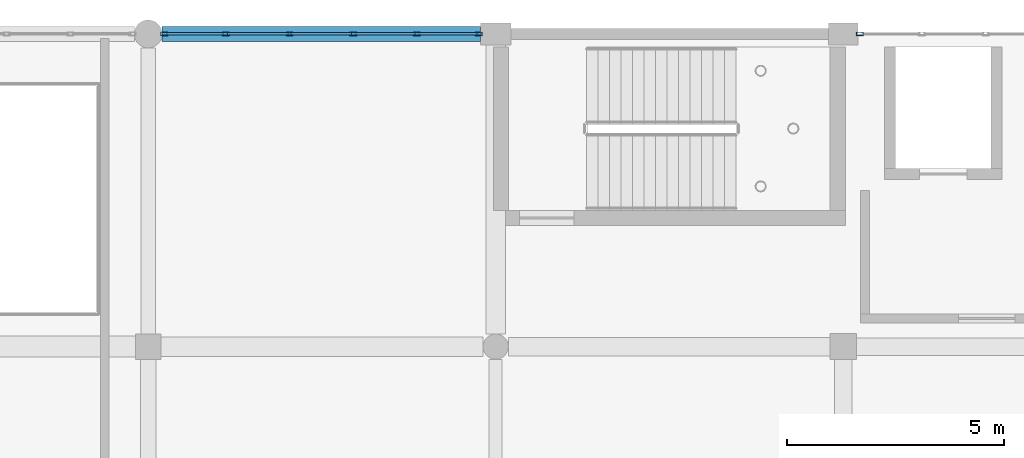
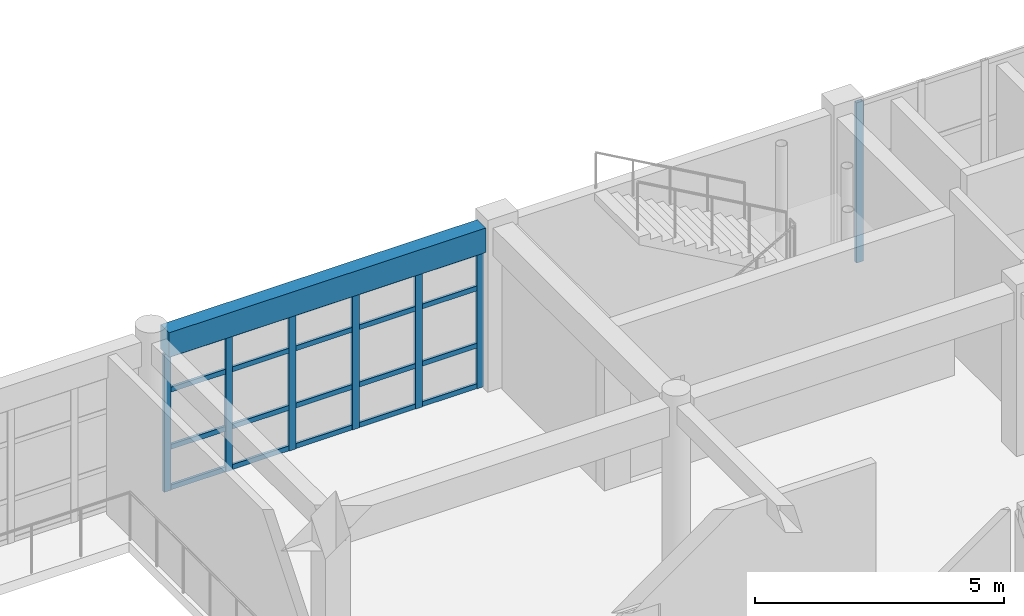
# One storey, part 14 of 53: 27 members, 1 beam, 2 elements without a shape of their own.
"""IFC4 building model written with IfcOpenShell, lengths in metres."""

from ifc_helpers import new_model, si_unit, direction, frame, origin, origin_2d, place, context, subcontext, project, spatial, rectangle, hollow_rectangle, extrude, material, material_profile, profile_set, type_object, element, aggregate, save


model = new_model("IFC4")

# Units and contexts
model_context = context("Model", 3, precision=1e-05, world=origin(), true_north=direction((0.0, 1.0)))
body_context = subcontext(model_context, "Body", "Model", "MODEL_VIEW")
ifc_project = project(units=[si_unit("LENGTHUNIT", "METRE"), si_unit("AREAUNIT", "SQUARE_METRE"), si_unit("VOLUMEUNIT", "CUBIC_METRE"), si_unit("PLANEANGLEUNIT", "RADIAN"), si_unit("MASSUNIT", "GRAM", prefix="KILO")], contexts=[model_context])

# Site, building, storey
site_placement = place(None, origin())
site = spatial("IfcSite", under=ifc_project, at=site_placement, CompositionType="ELEMENT")
building_placement = place(site_placement, origin())
building = spatial("IfcBuilding", under=site, at=building_placement, Name="Kharva Crest Polytechnic", CompositionType="ELEMENT")
storey_placement = place(building_placement, frame((0.0, 0.0, 17.39990234375)))
storey = spatial("IfcBuildingStorey", under=building, at=storey_placement, Name="L04", CompositionType="ELEMENT", Elevation=17.39990234375)

# Curtain wall, member
ifc_material_1 = material(Name="Tempered insulated glass", Category="glass")
curtain_wall_type = type_object("IfcCurtainWallType", Name="CW-SYS-STUDIO", PredefinedType="USERDEFINED", material=ifc_material_1)
curtain_wall_1_placement = place(storey_placement, origin())
curtain_wall_1 = element("IfcCurtainWall", 1, at=curtain_wall_1_placement, inside=storey, type_object=curtain_wall_type, Name="L04 Glazed Curtain Wall CW-177", ObjectType="CURTAIN WALL", PredefinedType="USERDEFINED")
ifc_material_2 = material(Name="Steel S355", Category="steel")
ifc_material_profile_1 = material_profile(ifc_material_2, hollow_rectangle(XDim=0.080078125, YDim=0.159912109375, WallThickness=0.0048828125, at=origin_2d()), Name="RHS 160X80X5.0")
ifc_profile_set_1 = profile_set([ifc_material_profile_1], Name="Steel S355")
member_type_1 = type_object("IfcMemberType", Name="CWM-RHS160X80", PredefinedType="MULLION", material=ifc_profile_set_1)
member_1_placement = place(storey_placement, frame((112.385009765625, 122.0, 0.0), z_axis=(0.0, 0.0, 1.0), x_axis=(0.0, -1.0, 0.0)))
member_1 = element("IfcMember", 2, at=member_1_placement, type_object=member_type_1, Name="CW-177 mullion 6", PredefinedType="MULLION", context=body_context, shape_type="SweptSolid", body=[
    extrude(hollow_rectangle(XDim=0.080078125, YDim=0.159912109375, WallThickness=0.0048828125, at=origin_2d()), origin(), (0.0, 0.0, 1.0), 3.920166015625),
])
aggregate(curtain_wall_1, [member_1])

# Curtain wall, members
curtain_wall_2_placement = place(storey_placement, origin())
curtain_wall_2 = element("IfcCurtainWall", 3, at=curtain_wall_2_placement, inside=storey, type_object=curtain_wall_type, Name="L04 Glazed Curtain Wall CW-178", ObjectType="CURTAIN WALL", PredefinedType="USERDEFINED")
member_2_placement = place(storey_placement, frame((103.60498046875, 122.0, 0.0), z_axis=(0.0, 0.0, 1.0), x_axis=(0.0, -1.0, 0.0)))
member_2 = element("IfcMember", 4, at=member_2_placement, type_object=member_type_1, Name="CW-178 mullion 1", PredefinedType="MULLION", context=body_context, shape_type="SweptSolid", body=[
    extrude(hollow_rectangle(XDim=0.080078125, YDim=0.159912109375, WallThickness=0.0048828125, at=origin_2d()), origin(), (0.0, 0.0, 1.0), 3.3701171875),
])
member_3_placement = place(storey_placement, frame((102.180908203125, 122.0, 0.0), z_axis=(0.0, 0.0, 1.0), x_axis=(0.0, -1.0, 0.0)))
member_3 = element("IfcMember", 5, at=member_3_placement, type_object=member_type_1, Name="CW-178 mullion 2", PredefinedType="MULLION", context=body_context, shape_type="SweptSolid", body=[
    extrude(hollow_rectangle(XDim=0.080078125, YDim=0.159912109375, WallThickness=0.0048828125, at=origin_2d()), origin(), (0.0, 0.0, 1.0), 3.3701171875),
])
member_4_placement = place(storey_placement, frame((100.717041015625, 122.0, 0.0), z_axis=(0.0, 0.0, 1.0), x_axis=(0.0, -1.0, 0.0)))
member_4 = element("IfcMember", 6, at=member_4_placement, type_object=member_type_1, Name="CW-178 mullion 3", PredefinedType="MULLION", context=body_context, shape_type="SweptSolid", body=[
    extrude(hollow_rectangle(XDim=0.080078125, YDim=0.159912109375, WallThickness=0.0048828125, at=origin_2d()), origin(), (0.0, 0.0, 1.0), 3.3701171875),
])
member_5_placement = place(storey_placement, frame((99.2529296875, 122.0, 0.0), z_axis=(0.0, 0.0, 1.0), x_axis=(0.0, -1.0, 0.0)))
member_5 = element("IfcMember", 7, at=member_5_placement, type_object=member_type_1, Name="CW-178 mullion 4", PredefinedType="MULLION", context=body_context, shape_type="SweptSolid", body=[
    extrude(hollow_rectangle(XDim=0.080078125, YDim=0.159912109375, WallThickness=0.0048828125, at=origin_2d()), origin(), (0.0, 0.0, 1.0), 3.3701171875),
])
member_6_placement = place(storey_placement, frame((97.7890625, 122.0, 0.0), z_axis=(0.0, 0.0, 1.0), x_axis=(0.0, -1.0, 0.0)))
member_6 = element("IfcMember", 8, at=member_6_placement, type_object=member_type_1, Name="CW-178 mullion 5", PredefinedType="MULLION", context=body_context, shape_type="SweptSolid", body=[
    extrude(hollow_rectangle(XDim=0.080078125, YDim=0.159912109375, WallThickness=0.0048828125, at=origin_2d()), origin(), (0.0, 0.0, 1.0), 3.3701171875),
])
member_7_placement = place(storey_placement, frame((96.364990234375, 122.0, 0.0), z_axis=(0.0, 0.0, 1.0), x_axis=(0.0, -1.0, 0.0)))
member_7 = element("IfcMember", 9, at=member_7_placement, type_object=member_type_1, Name="CW-178 mullion 6", PredefinedType="MULLION", context=body_context, shape_type="SweptSolid", body=[
    extrude(hollow_rectangle(XDim=0.080078125, YDim=0.159912109375, WallThickness=0.0048828125, at=origin_2d()), origin(), (0.0, 0.0, 1.0), 3.3701171875),
])
ifc_material_profile_2 = material_profile(ifc_material_2, hollow_rectangle(XDim=0.06005859375, YDim=0.1201171875, WallThickness=0.00390625, at=origin_2d()), Name="RHS 120X60X4.0")
ifc_profile_set_2 = profile_set([ifc_material_profile_2], Name="Steel S355")
member_type_2 = type_object("IfcMemberType", Name="CWT-RHS120X60", PredefinedType="USERDEFINED", material=ifc_profile_set_2)
member_8_placement = place(storey_placement, frame((103.56494140625, 122.0, 0.06005859375), z_axis=(-1.0, 0.0, 0.0), x_axis=(0.0, -1.0, 0.0)))
member_8 = element("IfcMember", 10, at=member_8_placement, type_object=member_type_2, Name="CW-178 transom 1.1", ObjectType="TRANSOM", PredefinedType="USERDEFINED", context=body_context, shape_type="SweptSolid", body=[
    extrude(hollow_rectangle(XDim=0.06005859375, YDim=0.1201171875, WallThickness=0.00390625, at=origin_2d()), origin(), (0.0, 0.0, 1.0), 1.343994140625),
])
member_9_placement = place(storey_placement, frame((103.56494140625, 122.0, 1.050048828125), z_axis=(-1.0, 0.0, 0.0), x_axis=(0.0, -1.0, 0.0)))
member_9 = element("IfcMember", 11, at=member_9_placement, type_object=member_type_2, Name="CW-178 transom 1.2", ObjectType="TRANSOM", PredefinedType="USERDEFINED", context=body_context, shape_type="SweptSolid", body=[
    extrude(hollow_rectangle(XDim=0.06005859375, YDim=0.1201171875, WallThickness=0.00390625, at=origin_2d()), origin(), (0.0, 0.0, 1.0), 1.343994140625),
])
member_10_placement = place(storey_placement, frame((103.56494140625, 122.0, 2.4501953125), z_axis=(-1.0, 0.0, 0.0), x_axis=(0.0, -1.0, 0.0)))
member_10 = element("IfcMember", 12, at=member_10_placement, type_object=member_type_2, Name="CW-178 transom 1.3", ObjectType="TRANSOM", PredefinedType="USERDEFINED", context=body_context, shape_type="SweptSolid", body=[
    extrude(hollow_rectangle(XDim=0.06005859375, YDim=0.1201171875, WallThickness=0.00390625, at=origin_2d()), origin(), (0.0, 0.0, 1.0), 1.343994140625),
])
member_11_placement = place(storey_placement, frame((103.56494140625, 122.0, 3.31005859375), z_axis=(-1.0, 0.0, 0.0), x_axis=(0.0, -1.0, 0.0)))
member_11 = element("IfcMember", 13, at=member_11_placement, type_object=member_type_2, Name="CW-178 transom 1.4", ObjectType="TRANSOM", PredefinedType="USERDEFINED", context=body_context, shape_type="SweptSolid", body=[
    extrude(hollow_rectangle(XDim=0.06005859375, YDim=0.1201171875, WallThickness=0.00390625, at=origin_2d()), origin(), (0.0, 0.0, 1.0), 1.343994140625),
])
member_12_placement = place(storey_placement, frame((102.14111328125, 122.0, 0.06005859375), z_axis=(-1.0, 0.0, 0.0), x_axis=(0.0, -1.0, 0.0)))
member_12 = element("IfcMember", 14, at=member_12_placement, type_object=member_type_2, Name="CW-178 transom 2.1", ObjectType="TRANSOM", PredefinedType="USERDEFINED", context=body_context, shape_type="SweptSolid", body=[
    extrude(hollow_rectangle(XDim=0.06005859375, YDim=0.1201171875, WallThickness=0.00390625, at=origin_2d()), origin(), (0.0, 0.0, 1.0), 1.384033203125),
])
member_13_placement = place(storey_placement, frame((102.14111328125, 122.0, 1.050048828125), z_axis=(-1.0, 0.0, 0.0), x_axis=(0.0, -1.0, 0.0)))
member_13 = element("IfcMember", 15, at=member_13_placement, type_object=member_type_2, Name="CW-178 transom 2.2", ObjectType="TRANSOM", PredefinedType="USERDEFINED", context=body_context, shape_type="SweptSolid", body=[
    extrude(hollow_rectangle(XDim=0.06005859375, YDim=0.1201171875, WallThickness=0.00390625, at=origin_2d()), origin(), (0.0, 0.0, 1.0), 1.384033203125),
])
member_14_placement = place(storey_placement, frame((102.14111328125, 122.0, 2.4501953125), z_axis=(-1.0, 0.0, 0.0), x_axis=(0.0, -1.0, 0.0)))
member_14 = element("IfcMember", 16, at=member_14_placement, type_object=member_type_2, Name="CW-178 transom 2.3", ObjectType="TRANSOM", PredefinedType="USERDEFINED", context=body_context, shape_type="SweptSolid", body=[
    extrude(hollow_rectangle(XDim=0.06005859375, YDim=0.1201171875, WallThickness=0.00390625, at=origin_2d()), origin(), (0.0, 0.0, 1.0), 1.384033203125),
])
member_15_placement = place(storey_placement, frame((102.14111328125, 122.0, 3.31005859375), z_axis=(-1.0, 0.0, 0.0), x_axis=(0.0, -1.0, 0.0)))
member_15 = element("IfcMember", 17, at=member_15_placement, type_object=member_type_2, Name="CW-178 transom 2.4", ObjectType="TRANSOM", PredefinedType="USERDEFINED", context=body_context, shape_type="SweptSolid", body=[
    extrude(hollow_rectangle(XDim=0.06005859375, YDim=0.1201171875, WallThickness=0.00390625, at=origin_2d()), origin(), (0.0, 0.0, 1.0), 1.384033203125),
])
member_16_placement = place(storey_placement, frame((100.677001953125, 122.0, 0.06005859375), z_axis=(-1.0, 0.0, 0.0), x_axis=(0.0, -1.0, 0.0)))
member_16 = element("IfcMember", 18, at=member_16_placement, type_object=member_type_2, Name="CW-178 transom 3.1", ObjectType="TRANSOM", PredefinedType="USERDEFINED", context=body_context, shape_type="SweptSolid", body=[
    extrude(hollow_rectangle(XDim=0.06005859375, YDim=0.1201171875, WallThickness=0.00390625, at=origin_2d()), origin(), (0.0, 0.0, 1.0), 1.384033203125),
])
member_17_placement = place(storey_placement, frame((100.677001953125, 122.0, 1.050048828125), z_axis=(-1.0, 0.0, 0.0), x_axis=(0.0, -1.0, 0.0)))
member_17 = element("IfcMember", 19, at=member_17_placement, type_object=member_type_2, Name="CW-178 transom 3.2", ObjectType="TRANSOM", PredefinedType="USERDEFINED", context=body_context, shape_type="SweptSolid", body=[
    extrude(hollow_rectangle(XDim=0.06005859375, YDim=0.1201171875, WallThickness=0.00390625, at=origin_2d()), origin(), (0.0, 0.0, 1.0), 1.384033203125),
])
member_18_placement = place(storey_placement, frame((100.677001953125, 122.0, 2.4501953125), z_axis=(-1.0, 0.0, 0.0), x_axis=(0.0, -1.0, 0.0)))
member_18 = element("IfcMember", 20, at=member_18_placement, type_object=member_type_2, Name="CW-178 transom 3.3", ObjectType="TRANSOM", PredefinedType="USERDEFINED", context=body_context, shape_type="SweptSolid", body=[
    extrude(hollow_rectangle(XDim=0.06005859375, YDim=0.1201171875, WallThickness=0.00390625, at=origin_2d()), origin(), (0.0, 0.0, 1.0), 1.384033203125),
])
member_19_placement = place(storey_placement, frame((100.677001953125, 122.0, 3.31005859375), z_axis=(-1.0, 0.0, 0.0), x_axis=(0.0, -1.0, 0.0)))
member_19 = element("IfcMember", 21, at=member_19_placement, type_object=member_type_2, Name="CW-178 transom 3.4", ObjectType="TRANSOM", PredefinedType="USERDEFINED", context=body_context, shape_type="SweptSolid", body=[
    extrude(hollow_rectangle(XDim=0.06005859375, YDim=0.1201171875, WallThickness=0.00390625, at=origin_2d()), origin(), (0.0, 0.0, 1.0), 1.384033203125),
])
member_20_placement = place(storey_placement, frame((99.212890625, 122.0, 0.06005859375), z_axis=(-1.0, 0.0, 0.0), x_axis=(0.0, -1.0, 0.0)))
member_20 = element("IfcMember", 22, at=member_20_placement, type_object=member_type_2, Name="CW-178 transom 4.1", ObjectType="TRANSOM", PredefinedType="USERDEFINED", context=body_context, shape_type="SweptSolid", body=[
    extrude(hollow_rectangle(XDim=0.06005859375, YDim=0.1201171875, WallThickness=0.00390625, at=origin_2d()), origin(), (0.0, 0.0, 1.0), 1.3837890625),
])
member_21_placement = place(storey_placement, frame((99.212890625, 122.0, 1.050048828125), z_axis=(-1.0, 0.0, 0.0), x_axis=(0.0, -1.0, 0.0)))
member_21 = element("IfcMember", 23, at=member_21_placement, type_object=member_type_2, Name="CW-178 transom 4.2", ObjectType="TRANSOM", PredefinedType="USERDEFINED", context=body_context, shape_type="SweptSolid", body=[
    extrude(hollow_rectangle(XDim=0.06005859375, YDim=0.1201171875, WallThickness=0.00390625, at=origin_2d()), origin(), (0.0, 0.0, 1.0), 1.3837890625),
])
member_22_placement = place(storey_placement, frame((99.212890625, 122.0, 2.4501953125), z_axis=(-1.0, 0.0, 0.0), x_axis=(0.0, -1.0, 0.0)))
member_22 = element("IfcMember", 24, at=member_22_placement, type_object=member_type_2, Name="CW-178 transom 4.3", ObjectType="TRANSOM", PredefinedType="USERDEFINED", context=body_context, shape_type="SweptSolid", body=[
    extrude(hollow_rectangle(XDim=0.06005859375, YDim=0.1201171875, WallThickness=0.00390625, at=origin_2d()), origin(), (0.0, 0.0, 1.0), 1.3837890625),
])
member_23_placement = place(storey_placement, frame((99.212890625, 122.0, 3.31005859375), z_axis=(-1.0, 0.0, 0.0), x_axis=(0.0, -1.0, 0.0)))
member_23 = element("IfcMember", 25, at=member_23_placement, type_object=member_type_2, Name="CW-178 transom 4.4", ObjectType="TRANSOM", PredefinedType="USERDEFINED", context=body_context, shape_type="SweptSolid", body=[
    extrude(hollow_rectangle(XDim=0.06005859375, YDim=0.1201171875, WallThickness=0.00390625, at=origin_2d()), origin(), (0.0, 0.0, 1.0), 1.3837890625),
])
member_24_placement = place(storey_placement, frame((97.7490234375, 122.0, 0.06005859375), z_axis=(-1.0, 0.0, 0.0), x_axis=(0.0, -1.0, 0.0)))
member_24 = element("IfcMember", 26, at=member_24_placement, type_object=member_type_2, Name="CW-178 transom 5.1", ObjectType="TRANSOM", PredefinedType="USERDEFINED", context=body_context, shape_type="SweptSolid", body=[
    extrude(hollow_rectangle(XDim=0.06005859375, YDim=0.1201171875, WallThickness=0.00390625, at=origin_2d()), origin(), (0.0, 0.0, 1.0), 1.343994140625),
])
member_25_placement = place(storey_placement, frame((97.7490234375, 122.0, 1.050048828125), z_axis=(-1.0, 0.0, 0.0), x_axis=(0.0, -1.0, 0.0)))
member_25 = element("IfcMember", 27, at=member_25_placement, type_object=member_type_2, Name="CW-178 transom 5.2", ObjectType="TRANSOM", PredefinedType="USERDEFINED", context=body_context, shape_type="SweptSolid", body=[
    extrude(hollow_rectangle(XDim=0.06005859375, YDim=0.1201171875, WallThickness=0.00390625, at=origin_2d()), origin(), (0.0, 0.0, 1.0), 1.343994140625),
])
member_26_placement = place(storey_placement, frame((97.7490234375, 122.0, 2.4501953125), z_axis=(-1.0, 0.0, 0.0), x_axis=(0.0, -1.0, 0.0)))
member_26 = element("IfcMember", 28, at=member_26_placement, type_object=member_type_2, Name="CW-178 transom 5.3", ObjectType="TRANSOM", PredefinedType="USERDEFINED", context=body_context, shape_type="SweptSolid", body=[
    extrude(hollow_rectangle(XDim=0.06005859375, YDim=0.1201171875, WallThickness=0.00390625, at=origin_2d()), origin(), (0.0, 0.0, 1.0), 1.343994140625),
])
member_27_placement = place(storey_placement, frame((97.7490234375, 122.0, 3.31005859375), z_axis=(-1.0, 0.0, 0.0), x_axis=(0.0, -1.0, 0.0)))
member_27 = element("IfcMember", 29, at=member_27_placement, type_object=member_type_2, Name="CW-178 transom 5.4", ObjectType="TRANSOM", PredefinedType="USERDEFINED", context=body_context, shape_type="SweptSolid", body=[
    extrude(hollow_rectangle(XDim=0.06005859375, YDim=0.1201171875, WallThickness=0.00390625, at=origin_2d()), origin(), (0.0, 0.0, 1.0), 1.343994140625),
])
aggregate(curtain_wall_2, [member_2, member_3, member_4, member_5, member_6, member_7, member_8, member_9, member_10, member_11, member_12, member_13, member_14, member_15, member_16, member_17, member_18, member_19, member_20, member_21, member_22, member_23, member_24, member_25, member_26, member_27])

# Beam
ifc_material_3 = material(Name="Concrete C35/45", Category="concrete")
ifc_material_profile_3 = material_profile(ifc_material_3, rectangle(XDim=0.340087890625, YDim=0.60009765625, at=origin_2d()), Name="RECT 340 X 600")
ifc_profile_set_3 = profile_set([ifc_material_profile_3], Name="Concrete C35/45")
beam_type = type_object("IfcBeamType", Name="SP-RC-340X600", PredefinedType="SPANDREL", material=ifc_profile_set_3)
beam_placement = place(storey_placement, frame((96.320068359375, 122.0, 3.670166015625), z_axis=(1.0, 0.0, 0.0), x_axis=(0.0, 1.0, 0.0)))
element("IfcBeam", 30, at=beam_placement, inside=storey, type_object=beam_type, Name="L04 Beam S/13-14", PredefinedType="SPANDREL", context=body_context, shape_type="SweptSolid", body=[
    extrude(rectangle(XDim=0.340087890625, YDim=0.60009765625, at=origin_2d()), origin(), (0.0, 0.0, 1.0), 7.329833984375),
])

save(model, "model.ifc")
